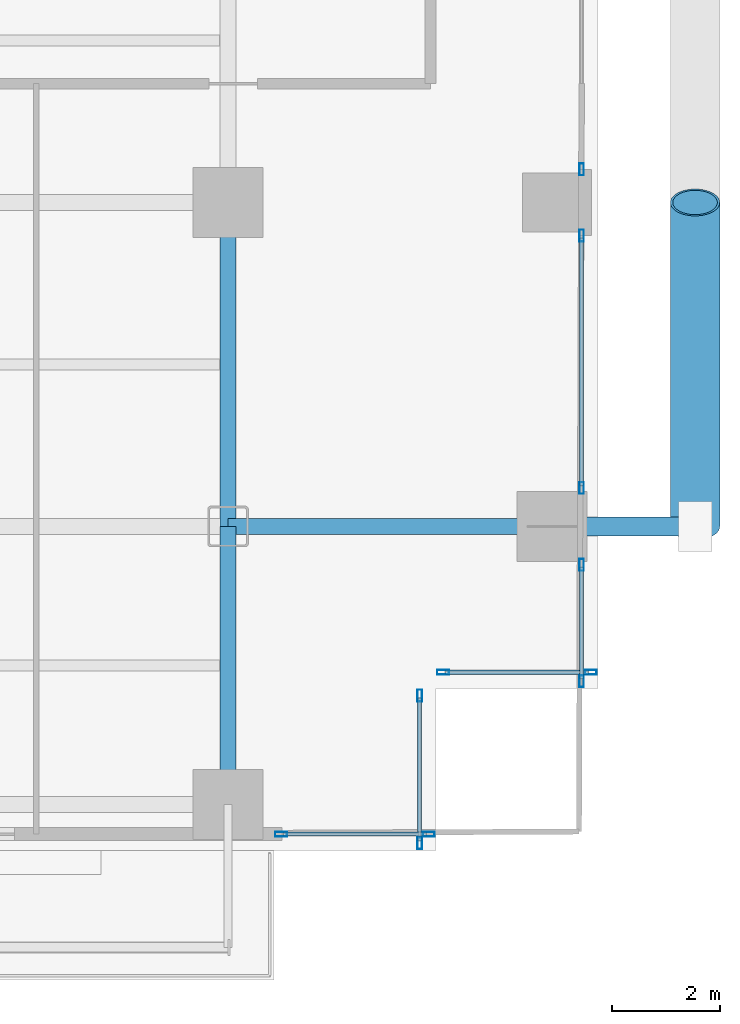
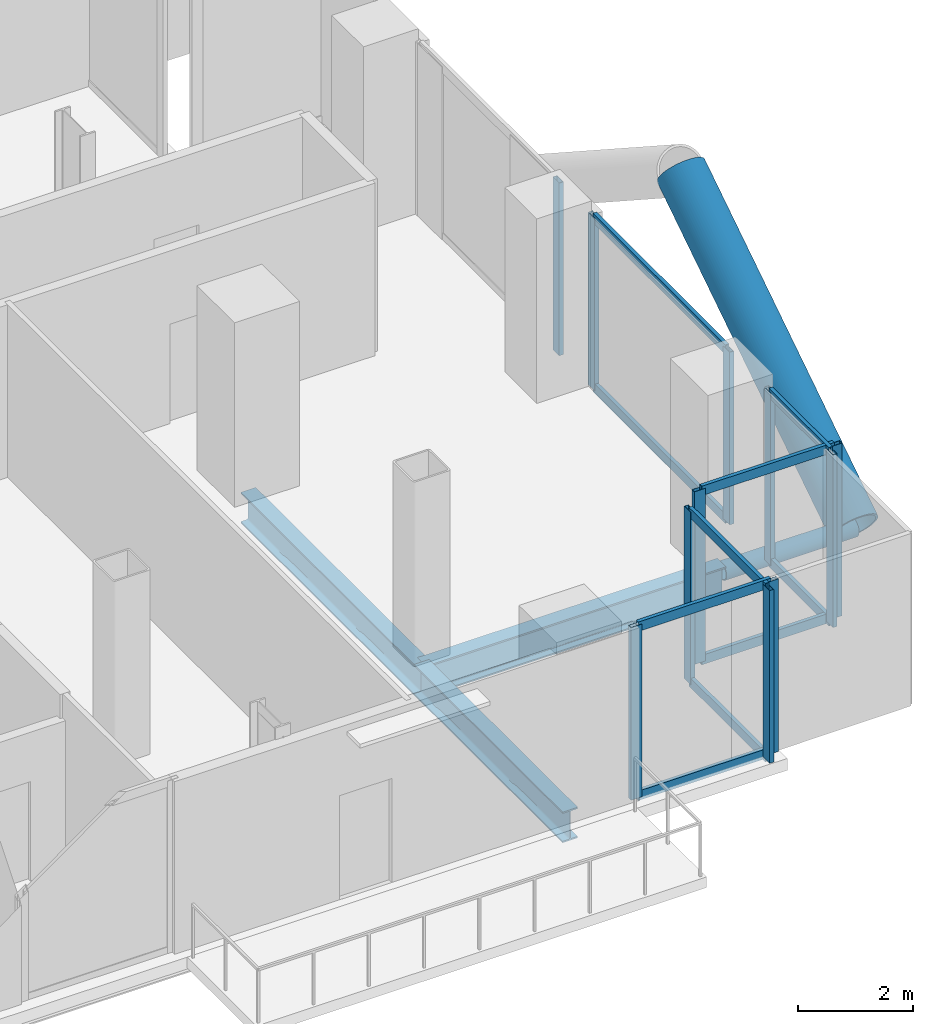
# One storey, part 10 of 27: 23 members, 3 beams, 6 elements without a shape of their own.
"""IFC4 building model written with IfcOpenShell, lengths in metres."""

from ifc_helpers import new_model, si_unit, direction, frame, origin, origin_2d, place, context, subcontext, project, spatial, hollow_rectangle, hollow_circle, i_section, extrude, material, layer, layer_set, material_profile, profile_set, type_object, element, aggregate, save


model = new_model("IFC4")

# Units and contexts
model_context = context("Model", 3, precision=1e-05, world=origin(), true_north=direction((0.0, 1.0)))
body_context = subcontext(model_context, "Body", "Model", "MODEL_VIEW")
ifc_project = project(units=[si_unit("LENGTHUNIT", "METRE"), si_unit("AREAUNIT", "SQUARE_METRE"), si_unit("VOLUMEUNIT", "CUBIC_METRE"), si_unit("PLANEANGLEUNIT", "RADIAN"), si_unit("MASSUNIT", "GRAM", prefix="KILO"), si_unit("THERMODYNAMICTEMPERATUREUNIT", "KELVIN"), si_unit("POWERUNIT", "WATT")], contexts=[model_context])

# Site, building, storey
site_placement = place(None, origin())
site = spatial("IfcSite", under=ifc_project, at=site_placement, CompositionType="ELEMENT")
building_placement = place(site_placement, origin())
building = spatial("IfcBuilding", under=site, at=building_placement, Name="Svarakhadi Broadcast Tower", CompositionType="ELEMENT")
storey_placement = place(building_placement, frame((0.0, 0.0, 87.0)))
storey = spatial("IfcBuildingStorey", under=building, at=storey_placement, Name="L20", CompositionType="ELEMENT", Elevation=87.0)

# Curtain wall, member
ifc_material_1 = material(Name="Anodised Bronze Aluminium AA 6063-T6", Category="aluminium")
ifc_layer = layer(ifc_material_1, 0.219970703125)
ifc_layer_set = layer_set([ifc_layer], Name="Anodised Bronze Aluminium AA 6063-T6")
curtain_wall_type = type_object("IfcCurtainWallType", Name="CW_Sys_02", PredefinedType="NOTDEFINED", material=ifc_layer_set)
curtain_wall_1_placement = place(storey_placement, origin())
curtain_wall_1 = element("IfcCurtainWall", 1, at=curtain_wall_1_placement, inside=storey, type_object=curtain_wall_type, Name="L20 Unitised Facade Curtain Wall 13 Bay 2", PredefinedType="NOTDEFINED")
ifc_material_profile_1 = material_profile(ifc_material_1, hollow_rectangle(XDim=0.0849609375, YDim=0.219970703125, WallThickness=0.006103515625, at=origin_2d()), Name="ALU MULLION 220x85x6")
ifc_profile_set_1 = profile_set([ifc_material_profile_1], Name="Anodised Bronze Aluminium AA 6063-T6")
member_type_1 = type_object("IfcMemberType", Name="CW_Sys_02_Mul", PredefinedType="MULLION", material=ifc_profile_set_1)
member_1_placement = place(storey_placement, frame((53.699951171875, 12.612548828125, 0.0), z_axis=(0.0, 0.0, 1.0), x_axis=(1.0, 0.0, 0.0)))
member_1 = element("IfcMember", 2, at=member_1_placement, type_object=member_type_1, Name="CW-02 mullion 2", PredefinedType="MULLION", context=body_context, shape_type="SweptSolid", body=[
    extrude(hollow_rectangle(XDim=0.0849609375, YDim=0.219970703125, WallThickness=0.006103515625, at=origin_2d()), origin(), (0.0, 0.0, 1.0), 3.64990234375),
])
aggregate(curtain_wall_1, [member_1])

# Curtain wall, members
curtain_wall_2_placement = place(storey_placement, origin())
curtain_wall_2 = element("IfcCurtainWall", 3, at=curtain_wall_2_placement, inside=storey, type_object=curtain_wall_type, Name="L20 Unitised Facade Curtain Wall 13 Bay 3", PredefinedType="NOTDEFINED")
member_2_placement = place(storey_placement, frame((53.699951171875, 11.387451171875, 0.0), z_axis=(0.0, 0.0, 1.0), x_axis=(1.0, 0.0, 0.0)))
member_2 = element("IfcMember", 4, at=member_2_placement, type_object=member_type_1, Name="CW-02 mullion 1", PredefinedType="MULLION", context=body_context, shape_type="SweptSolid", body=[
    extrude(hollow_rectangle(XDim=0.0849609375, YDim=0.219970703125, WallThickness=0.006103515625, at=origin_2d()), origin(), (0.0, 0.0, 1.0), 3.64990234375),
])
member_3_placement = place(storey_placement, frame((53.699951171875, 6.71240234375, 0.0), z_axis=(0.0, 0.0, 1.0), x_axis=(1.0, 0.0, 0.0)))
member_3 = element("IfcMember", 5, at=member_3_placement, type_object=member_type_1, Name="CW-02 mullion 2", PredefinedType="MULLION", context=body_context, shape_type="SweptSolid", body=[
    extrude(hollow_rectangle(XDim=0.0849609375, YDim=0.219970703125, WallThickness=0.006103515625, at=origin_2d()), origin(), (0.0, 0.0, 1.0), 3.64990234375),
])

curtain_wall_3_placement = place(storey_placement, origin())
curtain_wall_3 = element("IfcCurtainWall", 6, at=curtain_wall_3_placement, inside=storey, type_object=curtain_wall_type, Name="L20 Unitised Facade Curtain Wall 13 Bay 4", PredefinedType="NOTDEFINED")
member_4_placement = place(storey_placement, frame((53.699951171875, 5.28759765625, 0.0), z_axis=(0.0, 0.0, 1.0), x_axis=(1.0, 0.0, 0.0)))
member_4 = element("IfcMember", 7, at=member_4_placement, type_object=member_type_1, Name="CW-02 mullion 1", PredefinedType="MULLION", context=body_context, shape_type="SweptSolid", body=[
    extrude(hollow_rectangle(XDim=0.0849609375, YDim=0.219970703125, WallThickness=0.006103515625, at=origin_2d()), origin(), (0.0, 0.0, 1.0), 3.64990234375),
])
member_5_placement = place(storey_placement, frame((53.699951171875, 3.132568359375, 0.0), z_axis=(0.0, 0.0, 1.0), x_axis=(1.0, 0.0, 0.0)))
member_5 = element("IfcMember", 8, at=member_5_placement, type_object=member_type_1, Name="CW-02 mullion 2", PredefinedType="MULLION", context=body_context, shape_type="SweptSolid", body=[
    extrude(hollow_rectangle(XDim=0.0849609375, YDim=0.219970703125, WallThickness=0.006103515625, at=origin_2d()), origin(), (0.0, 0.0, 1.0), 3.64990234375),
])

curtain_wall_4_placement = place(storey_placement, origin())
curtain_wall_4 = element("IfcCurtainWall", 9, at=curtain_wall_4_placement, inside=storey, type_object=curtain_wall_type, Name="L20 Unitised Facade Curtain Wall 14", PredefinedType="NOTDEFINED")
member_6_placement = place(storey_placement, frame((53.867431640625, 3.300048828125, 0.0), z_axis=(0.0, 0.0, 1.0), x_axis=(0.0, -1.0, 0.0)))
member_6 = element("IfcMember", 10, at=member_6_placement, type_object=member_type_1, Name="CW-02 mullion 1", PredefinedType="MULLION", context=body_context, shape_type="SweptSolid", body=[
    extrude(hollow_rectangle(XDim=0.0849609375, YDim=0.219970703125, WallThickness=0.006103515625, at=origin_2d()), origin(), (0.0, 0.0, 1.0), 3.64990234375),
])
member_7_placement = place(storey_placement, frame((51.132568359375, 3.300048828125, 0.0), z_axis=(0.0, 0.0, 1.0), x_axis=(0.0, -1.0, 0.0)))
member_7 = element("IfcMember", 11, at=member_7_placement, type_object=member_type_1, Name="CW-02 mullion 2", PredefinedType="MULLION", context=body_context, shape_type="SweptSolid", body=[
    extrude(hollow_rectangle(XDim=0.0849609375, YDim=0.219970703125, WallThickness=0.006103515625, at=origin_2d()), origin(), (0.0, 0.0, 1.0), 3.64990234375),
])

curtain_wall_5_placement = place(storey_placement, origin())
curtain_wall_5 = element("IfcCurtainWall", 12, at=curtain_wall_5_placement, inside=storey, type_object=curtain_wall_type, Name="L20 Unitised Facade Curtain Wall 15", PredefinedType="NOTDEFINED")
member_8_placement = place(storey_placement, frame((50.699951171875, 2.867431640625, 0.0), z_axis=(0.0, 0.0, 1.0), x_axis=(1.0, 0.0, 0.0)))
member_8 = element("IfcMember", 13, at=member_8_placement, type_object=member_type_1, Name="CW-02 mullion 1", PredefinedType="MULLION", context=body_context, shape_type="SweptSolid", body=[
    extrude(hollow_rectangle(XDim=0.0849609375, YDim=0.219970703125, WallThickness=0.006103515625, at=origin_2d()), origin(), (0.0, 0.0, 1.0), 3.64990234375),
])
member_9_placement = place(storey_placement, frame((50.699951171875, 0.132568359375, 0.0), z_axis=(0.0, 0.0, 1.0), x_axis=(1.0, 0.0, 0.0)))
member_9 = element("IfcMember", 14, at=member_9_placement, type_object=member_type_1, Name="CW-02 mullion 2", PredefinedType="MULLION", context=body_context, shape_type="SweptSolid", body=[
    extrude(hollow_rectangle(XDim=0.0849609375, YDim=0.219970703125, WallThickness=0.006103515625, at=origin_2d()), origin(), (0.0, 0.0, 1.0), 3.64990234375),
])

curtain_wall_6_placement = place(storey_placement, origin())
curtain_wall_6 = element("IfcCurtainWall", 15, at=curtain_wall_6_placement, inside=storey, type_object=curtain_wall_type, Name="L20 South Curtain Wall 16", PredefinedType="NOTDEFINED")
member_10_placement = place(storey_placement, frame((50.867431640625, 0.300048828125, 0.0), z_axis=(0.0, 0.0, 1.0), x_axis=(0.0, -1.0, 0.0)))
member_10 = element("IfcMember", 16, at=member_10_placement, type_object=member_type_1, Name="CW-02 mullion 1", PredefinedType="MULLION", context=body_context, shape_type="SweptSolid", body=[
    extrude(hollow_rectangle(XDim=0.0849609375, YDim=0.219970703125, WallThickness=0.006103515625, at=origin_2d()), origin(), (0.0, 0.0, 1.0), 3.64990234375),
])
member_11_placement = place(storey_placement, frame((48.132568359375, 0.300048828125, 0.0), z_axis=(0.0, 0.0, 1.0), x_axis=(0.0, -1.0, 0.0)))
member_11 = element("IfcMember", 17, at=member_11_placement, type_object=member_type_1, Name="CW-02 mullion 2", PredefinedType="MULLION", context=body_context, shape_type="SweptSolid", body=[
    extrude(hollow_rectangle(XDim=0.0849609375, YDim=0.219970703125, WallThickness=0.006103515625, at=origin_2d()), origin(), (0.0, 0.0, 1.0), 3.64990234375),
])

# Member
ifc_material_profile_2 = material_profile(ifc_material_1, hollow_rectangle(XDim=0.074951171875, YDim=0.199951171875, WallThickness=0.0048828125, at=origin_2d()), Name="ALU TRANSOM 200x75x5")
ifc_profile_set_2 = profile_set([ifc_material_profile_2], Name="Anodised Bronze Aluminium AA 6063-T6")
member_type_2 = type_object("IfcMemberType", Name="CW_Sys_02_Trn", PredefinedType="USERDEFINED", material=ifc_profile_set_2)
member_12_placement = place(storey_placement, frame((53.699951171875, 11.344970703125, 0.03759765625), z_axis=(0.0, -1.0, 0.0), x_axis=(1.0, 0.0, 0.0)))
member_12 = element("IfcMember", 18, at=member_12_placement, type_object=member_type_2, Name="CW-02 transom 1.1", ObjectType="TRANSOM", PredefinedType="USERDEFINED", context=body_context, shape_type="SweptSolid", body=[
    extrude(hollow_rectangle(XDim=0.074951171875, YDim=0.199951171875, WallThickness=0.0048828125, at=origin_2d()), origin(), (0.0, 0.0, 1.0), 4.590087890625),
])

member_13_placement = place(storey_placement, frame((53.699951171875, 11.344970703125, 3.612548828125), z_axis=(0.0, -1.0, 0.0), x_axis=(1.0, 0.0, 0.0)))
member_13 = element("IfcMember", 19, at=member_13_placement, type_object=member_type_2, Name="CW-02 transom 1.2", ObjectType="TRANSOM", PredefinedType="USERDEFINED", context=body_context, shape_type="SweptSolid", body=[
    extrude(hollow_rectangle(XDim=0.074951171875, YDim=0.199951171875, WallThickness=0.0048828125, at=origin_2d()), origin(), (0.0, 0.0, 1.0), 4.590087890625),
])

aggregate(curtain_wall_2, [member_2, member_3, member_12, member_13])

member_14_placement = place(storey_placement, frame((53.699951171875, 5.2451171875, 0.03759765625), z_axis=(0.0, -1.0, 0.0), x_axis=(1.0, 0.0, 0.0)))
member_14 = element("IfcMember", 20, at=member_14_placement, type_object=member_type_2, Name="CW-02 transom 1.1", ObjectType="TRANSOM", PredefinedType="USERDEFINED", context=body_context, shape_type="SweptSolid", body=[
    extrude(hollow_rectangle(XDim=0.074951171875, YDim=0.199951171875, WallThickness=0.0048828125, at=origin_2d()), origin(), (0.0, 0.0, 1.0), 2.070068359375),
])

member_15_placement = place(storey_placement, frame((53.699951171875, 5.2451171875, 3.612548828125), z_axis=(0.0, -1.0, 0.0), x_axis=(1.0, 0.0, 0.0)))
member_15 = element("IfcMember", 21, at=member_15_placement, type_object=member_type_2, Name="CW-02 transom 1.2", ObjectType="TRANSOM", PredefinedType="USERDEFINED", context=body_context, shape_type="SweptSolid", body=[
    extrude(hollow_rectangle(XDim=0.074951171875, YDim=0.199951171875, WallThickness=0.0048828125, at=origin_2d()), origin(), (0.0, 0.0, 1.0), 2.070068359375),
])

aggregate(curtain_wall_3, [member_4, member_5, member_14, member_15])

member_16_placement = place(storey_placement, frame((53.824951171875, 3.300048828125, 0.03759765625), z_axis=(-1.0, 0.0, 0.0), x_axis=(0.0, -1.0, 0.0)))
member_16 = element("IfcMember", 22, at=member_16_placement, type_object=member_type_2, Name="CW-02 transom 1.1", ObjectType="TRANSOM", PredefinedType="USERDEFINED", context=body_context, shape_type="SweptSolid", body=[
    extrude(hollow_rectangle(XDim=0.074951171875, YDim=0.199951171875, WallThickness=0.0048828125, at=origin_2d()), origin(), (0.0, 0.0, 1.0), 2.64990234375),
])

member_17_placement = place(storey_placement, frame((53.824951171875, 3.300048828125, 3.612548828125), z_axis=(-1.0, 0.0, 0.0), x_axis=(0.0, -1.0, 0.0)))
member_17 = element("IfcMember", 23, at=member_17_placement, type_object=member_type_2, Name="CW-02 transom 1.2", ObjectType="TRANSOM", PredefinedType="USERDEFINED", context=body_context, shape_type="SweptSolid", body=[
    extrude(hollow_rectangle(XDim=0.074951171875, YDim=0.199951171875, WallThickness=0.0048828125, at=origin_2d()), origin(), (0.0, 0.0, 1.0), 2.64990234375),
])

aggregate(curtain_wall_4, [member_6, member_7, member_16, member_17])

member_18_placement = place(storey_placement, frame((50.699951171875, 2.824951171875, 0.03759765625), z_axis=(0.0, -1.0, 0.0), x_axis=(1.0, 0.0, 0.0)))
member_18 = element("IfcMember", 24, at=member_18_placement, type_object=member_type_2, Name="CW-02 transom 1.1", ObjectType="TRANSOM", PredefinedType="USERDEFINED", context=body_context, shape_type="SweptSolid", body=[
    extrude(hollow_rectangle(XDim=0.074951171875, YDim=0.199951171875, WallThickness=0.0048828125, at=origin_2d()), origin(), (0.0, 0.0, 1.0), 2.64990234375),
])

member_19_placement = place(storey_placement, frame((50.699951171875, 2.824951171875, 3.612548828125), z_axis=(0.0, -1.0, 0.0), x_axis=(1.0, 0.0, 0.0)))
member_19 = element("IfcMember", 25, at=member_19_placement, type_object=member_type_2, Name="CW-02 transom 1.2", ObjectType="TRANSOM", PredefinedType="USERDEFINED", context=body_context, shape_type="SweptSolid", body=[
    extrude(hollow_rectangle(XDim=0.074951171875, YDim=0.199951171875, WallThickness=0.0048828125, at=origin_2d()), origin(), (0.0, 0.0, 1.0), 2.64990234375),
])

aggregate(curtain_wall_5, [member_8, member_9, member_18, member_19])

member_20_placement = place(storey_placement, frame((50.824951171875, 0.300048828125, 0.03759765625), z_axis=(-1.0, 0.0, 0.0), x_axis=(0.0, -1.0, 0.0)))
member_20 = element("IfcMember", 26, at=member_20_placement, type_object=member_type_2, Name="CW-02 transom 1.1", ObjectType="TRANSOM", PredefinedType="USERDEFINED", context=body_context, shape_type="SweptSolid", body=[
    extrude(hollow_rectangle(XDim=0.074951171875, YDim=0.199951171875, WallThickness=0.0048828125, at=origin_2d()), origin(), (0.0, 0.0, 1.0), 2.64990234375),
])

member_21_placement = place(storey_placement, frame((50.824951171875, 0.300048828125, 3.612548828125), z_axis=(-1.0, 0.0, 0.0), x_axis=(0.0, -1.0, 0.0)))
member_21 = element("IfcMember", 27, at=member_21_placement, type_object=member_type_2, Name="CW-02 transom 1.2", ObjectType="TRANSOM", PredefinedType="USERDEFINED", context=body_context, shape_type="SweptSolid", body=[
    extrude(hollow_rectangle(XDim=0.074951171875, YDim=0.199951171875, WallThickness=0.0048828125, at=origin_2d()), origin(), (0.0, 0.0, 1.0), 2.64990234375),
])

aggregate(curtain_wall_6, [member_10, member_11, member_20, member_21])

# Members
ifc_material_2 = material(Name="Steel S460ML (IS 2062 E450BR)", Category="steel")
ifc_material_profile_3 = material_profile(ifc_material_2, hollow_circle(Radius=0.45703125, WallThickness=0.044921875, at=origin_2d()), Name="CHS 914x45")
ifc_profile_set_3 = profile_set([ifc_material_profile_3], Name="Steel S460ML (IS 2062 E450BR)")
member_type_3 = type_object("IfcMemberType", Name="Exo_Brace_CHS914", PredefinedType="BRACE", material=ifc_profile_set_3)
member_22_placement = place(storey_placement, frame((55.800048828125, 6.0, -0.427734375), z_axis=(0.0, 0.838449851971, 0.544978757136), x_axis=(-1.0, 0.0, 0.0)))
element("IfcMember", 28, at=member_22_placement, inside=storey, type_object=member_type_3, Name="L20 Exposed Bronze Exoskeleton Diagonal E10", PredefinedType="BRACE", context=body_context, shape_type="SweptSolid", body=[
    extrude(hollow_circle(Radius=0.45703125, WallThickness=0.044921875, at=origin_2d()), origin(), (0.0, 0.0, 1.0), 7.156005859375),
])
ifc_material_profile_4 = material_profile(ifc_material_2, hollow_circle(Radius=0.177734375, WallThickness=0.02001953125, at=origin_2d()), Name="CHS 355.6x20")
ifc_profile_set_4 = profile_set([ifc_material_profile_4], Name="Steel S460ML (IS 2062 E450BR)")
member_type_4 = type_object("IfcMemberType", Name="Exo_Radial_Strut_Z1", PredefinedType="STRUT", material=ifc_profile_set_4)
member_23_placement = place(storey_placement, frame((55.800048828125, 6.0, -0.427734375), z_axis=(-1.0, 0.0, 0.0), x_axis=(0.0, -1.0, 0.0)))
element("IfcMember", 29, at=member_23_placement, inside=storey, type_object=member_type_4, Name="L20 Exoskeleton Radial Tie Strut E09", PredefinedType="STRUT", context=body_context, shape_type="SweptSolid", body=[
    extrude(hollow_circle(Radius=0.177734375, WallThickness=0.02001953125, at=origin_2d()), origin(), (0.0, 0.0, 1.0), 2.650146484375),
])

# Beams
ifc_material_3 = material(Name="Steel S355J2 (IS 2062 E350C)", Category="steel")
ifc_material_profile_5 = material_profile(ifc_material_3, i_section(OverallWidth=0.300048828125, OverallDepth=0.64990234375, WebThickness=0.01611328125, FlangeThickness=0.031005859375, FilletRadius=0.027099609375, at=origin_2d()), Name="WPB 650x300x225")
ifc_profile_set_5 = profile_set([ifc_material_profile_5], Name="Steel S355J2 (IS 2062 E350C)")
beam_type = type_object("IfcBeamType", Name="Girder_WPB650", PredefinedType="USERDEFINED", material=ifc_profile_set_5)
beam_1_placement = place(storey_placement, frame((47.14990234375, 6.0, -0.574951171875), z_axis=(1.0, 0.0, 0.0), x_axis=(0.0, 1.0, 0.0)))
element("IfcBeam", 30, at=beam_1_placement, inside=storey, type_object=beam_type, Name="L20 Primary E-W Girder G018", ObjectType="GIRDER", PredefinedType="USERDEFINED", context=body_context, shape_type="SweptSolid", body=[
    extrude(i_section(OverallWidth=0.300048828125, OverallDepth=0.64990234375, WebThickness=0.01611328125, FlangeThickness=0.031005859375, FilletRadius=0.027099609375, at=origin_2d()), origin(), (0.0, 0.0, 1.0), 6.0),
])
beam_2_placement = place(storey_placement, frame((47.14990234375, 0.85009765625, -0.574951171875), z_axis=(0.0, 1.0, 0.0), x_axis=(-1.0, 0.0, 0.0)))
element("IfcBeam", 31, at=beam_2_placement, inside=storey, type_object=beam_type, Name="L20 Primary N-S Girder G082", ObjectType="GIRDER", PredefinedType="USERDEFINED", context=body_context, shape_type="SweptSolid", body=[
    extrude(i_section(OverallWidth=0.300048828125, OverallDepth=0.64990234375, WebThickness=0.01611328125, FlangeThickness=0.031005859375, FilletRadius=0.027099609375, at=origin_2d()), origin(), (0.0, 0.0, 1.0), 5.14990234375),
])
beam_3_placement = place(storey_placement, frame((47.14990234375, 6.0, -0.574951171875), z_axis=(0.0, 1.0, 0.0), x_axis=(-1.0, 0.0, 0.0)))
element("IfcBeam", 32, at=beam_3_placement, inside=storey, type_object=beam_type, Name="L20 Primary N-S Girder G083", ObjectType="GIRDER", PredefinedType="USERDEFINED", context=body_context, shape_type="SweptSolid", body=[
    extrude(i_section(OverallWidth=0.300048828125, OverallDepth=0.64990234375, WebThickness=0.01611328125, FlangeThickness=0.031005859375, FilletRadius=0.027099609375, at=origin_2d()), origin(), (0.0, 0.0, 1.0), 6.0),
])

save(model, "model.ifc")
